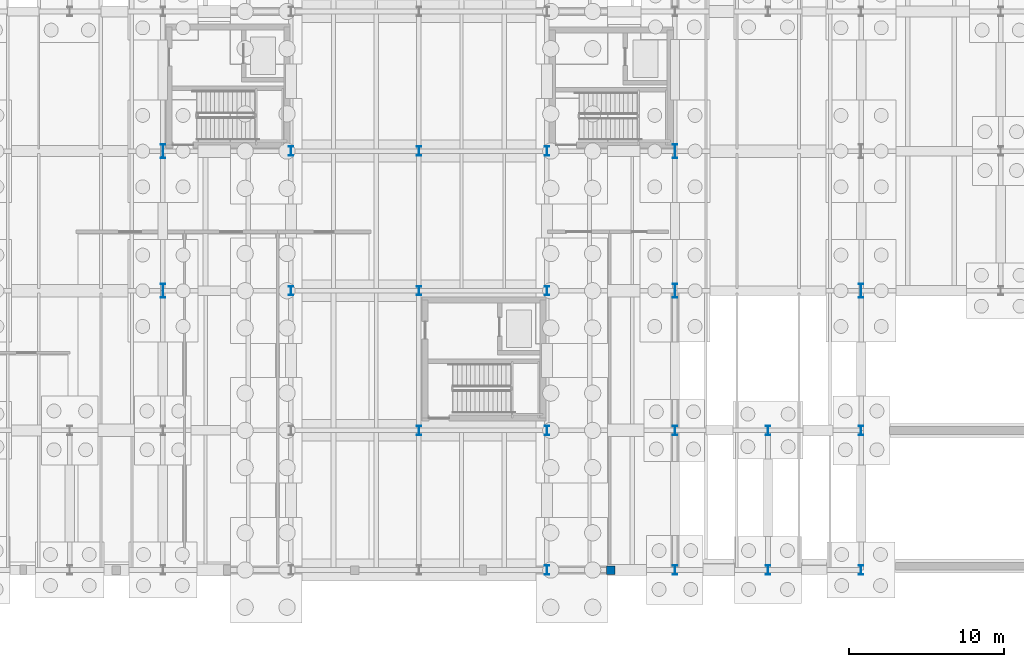
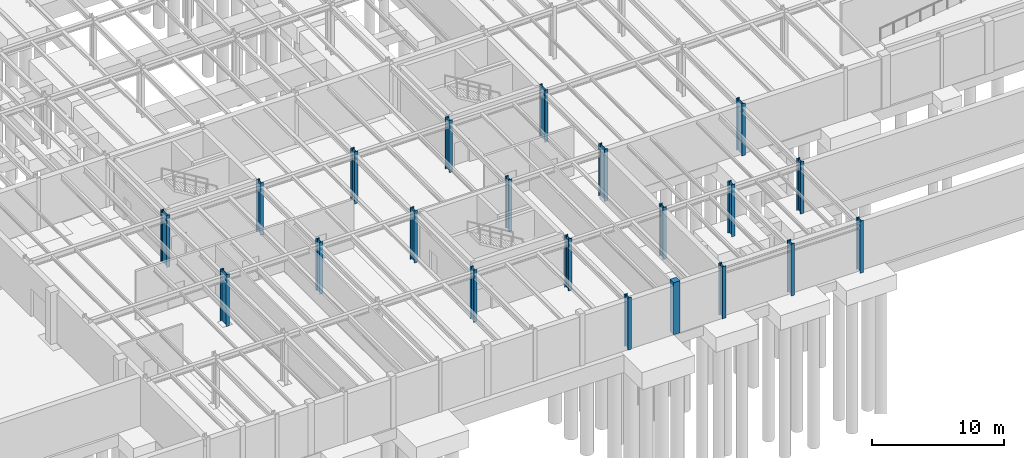
# One storey, part 17 of 59: 21 columns.
"""IFC4 building model written with IfcOpenShell, lengths in metres."""

from ifc_helpers import new_model, si_unit, direction, frame, origin, origin_2d, place, context, subcontext, project, spatial, rectangle, i_section, extrude, material, material_profile, profile_set, type_object, element, save


model = new_model("IFC4")

# Units and contexts
model_context = context("Model", 3, precision=1e-05, world=origin(), true_north=direction((0.0, 1.0)))
body_context = subcontext(model_context, "Body", "Model", "MODEL_VIEW")
ifc_project = project(units=[si_unit("LENGTHUNIT", "METRE"), si_unit("AREAUNIT", "SQUARE_METRE"), si_unit("VOLUMEUNIT", "CUBIC_METRE"), si_unit("PLANEANGLEUNIT", "RADIAN"), si_unit("MASSUNIT", "GRAM", prefix="KILO")], contexts=[model_context])

# Site, building, storey
site_placement = place(None, origin())
site = spatial("IfcSite", under=ifc_project, at=site_placement, CompositionType="ELEMENT")
building_placement = place(site_placement, origin())
building = spatial("IfcBuilding", under=site, at=building_placement, Name="Montealbar Specialist Clinic", CompositionType="ELEMENT")
storey_placement = place(building_placement, frame((0.0, 0.0, -4.800048828125)))
storey = spatial("IfcBuildingStorey", under=building, at=storey_placement, Name="B01", CompositionType="ELEMENT", Elevation=-4.800048828125)

# Columns
ifc_material_1 = material(Name="Steel S355", Category="steel")
ifc_material_profile_1 = material_profile(ifc_material_1, i_section(OverallWidth=0.300048828125, OverallDepth=0.89990234375, WebThickness=0.0185546875, FlangeThickness=0.034912109375, FilletRadius=0.030029296875, at=origin_2d()), Name="HEB 900", Category="steel")
ifc_profile_set_1 = profile_set([ifc_material_profile_1], Name="Steel S355")
column_type_1 = type_object("IfcColumnType", Name="COL-S-B01-MEGA", PredefinedType="COLUMN", material=ifc_profile_set_1)
for number, where, z_axis, x_axis, name in (
    (1, (66.0, 18.0, 0.0), (0.0, 0.0, 1.0), (1.0, 0.0, 0.0), "Column 9/C B01"),
    (2, (66.0, 27.0, 0.0), (0.0, 0.0, 1.0), (1.0, 0.0, 0.0), "Column 9/D B01"),
    (3, (99.0, 27.0, 0.0), (0.0, 0.0, 1.0), (1.0, 0.0, 0.0), "Column 13/D B01"),
):
    element("IfcColumn", number, at=place(storey_placement, frame(where, z_axis=z_axis, x_axis=x_axis)), inside=storey, type_object=column_type_1, Name=name, PredefinedType="COLUMN", context=body_context, shape_type="SweptSolid", body=[
        extrude(i_section(OverallWidth=0.300048828125, OverallDepth=0.89990234375, WebThickness=0.0185546875, FlangeThickness=0.034912109375, FilletRadius=0.030029296875, at=origin_2d()), origin(), (0.0, 0.0, 1.0), 4.800048828125),
    ])
ifc_material_profile_2 = material_profile(ifc_material_1, i_section(OverallWidth=0.300048828125, OverallDepth=0.89990234375, WebThickness=0.0185546875, FlangeThickness=0.034912109375, FilletRadius=0.030029296875, at=origin_2d()), Name="HEB 900", Category="steel")
ifc_profile_set_2 = profile_set([ifc_material_profile_2], Name="Steel S355")
column_type_2 = type_object("IfcColumnType", Name="COL-S-B01-MEGA-EXT", PredefinedType="COLUMN", material=ifc_profile_set_2)
for number, where, z_axis, x_axis, name in (
    (4, (99.0, 18.0, 0.0), (0.0, 0.0, 1.0), (1.0, 0.0, 0.0), "Column 13/C B01"),
    (5, (111.0, 18.0, 0.0), (0.0, 0.0, 1.0), (1.0, 0.0, 0.0), "Column 15/C B01"),
):
    element("IfcColumn", number, at=place(storey_placement, frame(where, z_axis=z_axis, x_axis=x_axis)), inside=storey, type_object=column_type_2, Name=name, PredefinedType="COLUMN", context=body_context, shape_type="SweptSolid", body=[
        extrude(i_section(OverallWidth=0.300048828125, OverallDepth=0.89990234375, WebThickness=0.0185546875, FlangeThickness=0.034912109375, FilletRadius=0.030029296875, at=origin_2d()), origin(), (0.0, 0.0, 1.0), 4.800048828125),
    ])
ifc_material_profile_3 = material_profile(ifc_material_1, i_section(OverallWidth=0.300048828125, OverallDepth=0.60009765625, WebThickness=0.015380859375, FlangeThickness=0.030029296875, FilletRadius=0.027099609375, at=origin_2d()), Name="HEB 600", Category="steel")
ifc_profile_set_3 = profile_set([ifc_material_profile_3], Name="Steel S355")
column_type_3 = type_object("IfcColumnType", Name="COL-S-B01-STD", PredefinedType="COLUMN", material=ifc_profile_set_3)
for number, where, z_axis, x_axis, name in (
    (6, (74.25, 18.0, 0.0), (0.0, 0.0, 1.0), (1.0, 0.0, 0.0), "Column 10/C B01"),
    (7, (74.25, 27.0, 0.0), (0.0, 0.0, 1.0), (1.0, 0.0, 0.0), "Column 10/D B01"),
    (8, (82.5, 9.0, 0.0), (0.0, 0.0, 1.0), (1.0, 0.0, 0.0), "Column 11/B B01"),
    (9, (82.5, 18.0, 0.0), (0.0, 0.0, 1.0), (1.0, 0.0, 0.0), "Column 11/C B01"),
    (10, (82.5, 27.0, 0.0), (0.0, 0.0, 1.0), (1.0, 0.0, 0.0), "Column 11/D B01"),
    (11, (90.75, 9.0, 0.0), (0.0, 0.0, 1.0), (1.0, 0.0, 0.0), "Column 12/B B01"),
    (12, (90.75, 18.0, 0.0), (0.0, 0.0, 1.0), (1.0, 0.0, 0.0), "Column 12/C B01"),
    (13, (90.75, 27.0, 0.0), (0.0, 0.0, 1.0), (1.0, 0.0, 0.0), "Column 12/D B01"),
):
    element("IfcColumn", number, at=place(storey_placement, frame(where, z_axis=z_axis, x_axis=x_axis)), inside=storey, type_object=column_type_3, Name=name, PredefinedType="COLUMN", context=body_context, shape_type="SweptSolid", body=[
        extrude(i_section(OverallWidth=0.300048828125, OverallDepth=0.60009765625, WebThickness=0.015380859375, FlangeThickness=0.030029296875, FilletRadius=0.027099609375, at=origin_2d()), origin(), (0.0, 0.0, 1.0), 4.800048828125),
    ])
ifc_material_profile_4 = material_profile(ifc_material_1, i_section(OverallWidth=0.300048828125, OverallDepth=0.60009765625, WebThickness=0.015380859375, FlangeThickness=0.030029296875, FilletRadius=0.027099609375, at=origin_2d()), Name="HEB 600", Category="steel")
ifc_profile_set_4 = profile_set([ifc_material_profile_4], Name="Steel S355")
column_type_4 = type_object("IfcColumnType", Name="COL-S-B01-STD-EXT", PredefinedType="COLUMN", material=ifc_profile_set_4)
for number, where, z_axis, x_axis, name in (
    (14, (90.75, 0.0, 0.0), (0.0, 0.0, 1.0), (1.0, 0.0, 0.0), "Column 12/A B01"),
    (15, (99.0, 0.0, 0.0), (0.0, 0.0, 1.0), (1.0, 0.0, 0.0), "Column 13/A B01"),
    (16, (99.0, 9.0, 0.0), (0.0, 0.0, 1.0), (1.0, 0.0, 0.0), "Column 13/B B01"),
    (17, (105.0, 0.0, 0.0), (0.0, 0.0, 1.0), (1.0, 0.0, 0.0), "Column 14/A B01"),
    (18, (105.0, 9.0, 0.0), (0.0, 0.0, 1.0), (1.0, 0.0, 0.0), "Column 14/B B01"),
    (19, (111.0, 0.0, 0.0), (0.0, 0.0, 1.0), (1.0, 0.0, 0.0), "Column 15/A B01"),
    (20, (111.0, 9.0, 0.0), (0.0, 0.0, 1.0), (1.0, 0.0, 0.0), "Column 15/B B01"),
):
    element("IfcColumn", number, at=place(storey_placement, frame(where, z_axis=z_axis, x_axis=x_axis)), inside=storey, type_object=column_type_4, Name=name, PredefinedType="COLUMN", context=body_context, shape_type="SweptSolid", body=[
        extrude(i_section(OverallWidth=0.300048828125, OverallDepth=0.60009765625, WebThickness=0.015380859375, FlangeThickness=0.030029296875, FilletRadius=0.027099609375, at=origin_2d()), origin(), (0.0, 0.0, 1.0), 4.800048828125),
    ])
ifc_material_2 = material(Name="Guadarrama granite ashlar", Category="masonry")
ifc_material_profile_5 = material_profile(ifc_material_2, rectangle(XDim=0.550048828125, YDim=0.550048828125, at=origin_2d()), Name="GRANITE PILASTER 550x550", Category="masonry")
ifc_profile_set_5 = profile_set([ifc_material_profile_5], Name="Guadarrama granite ashlar")
column_type_5 = type_object("IfcColumnType", Name="PIL-GRANITE-B-INT", PredefinedType="PILASTER", material=ifc_profile_set_5)
column_placement = place(storey_placement, frame((94.875, 0.0, 0.0), z_axis=(0.0, 0.0, 1.0), x_axis=(1.0, 0.0, 0.0)))
element("IfcColumn", 21, at=column_placement, inside=storey, type_object=column_type_5, Name="Column P6/A B01", PredefinedType="PILASTER", context=body_context, shape_type="SweptSolid", body=[
    extrude(rectangle(XDim=0.550048828125, YDim=0.550048828125, at=origin_2d()), origin(), (0.0, 0.0, 1.0), 4.800048828125),
])

save(model, "model.ifc")
